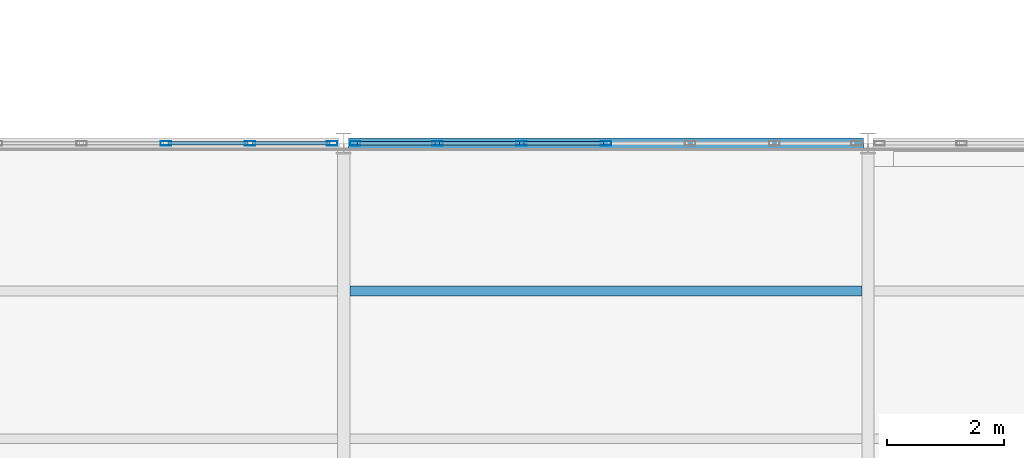
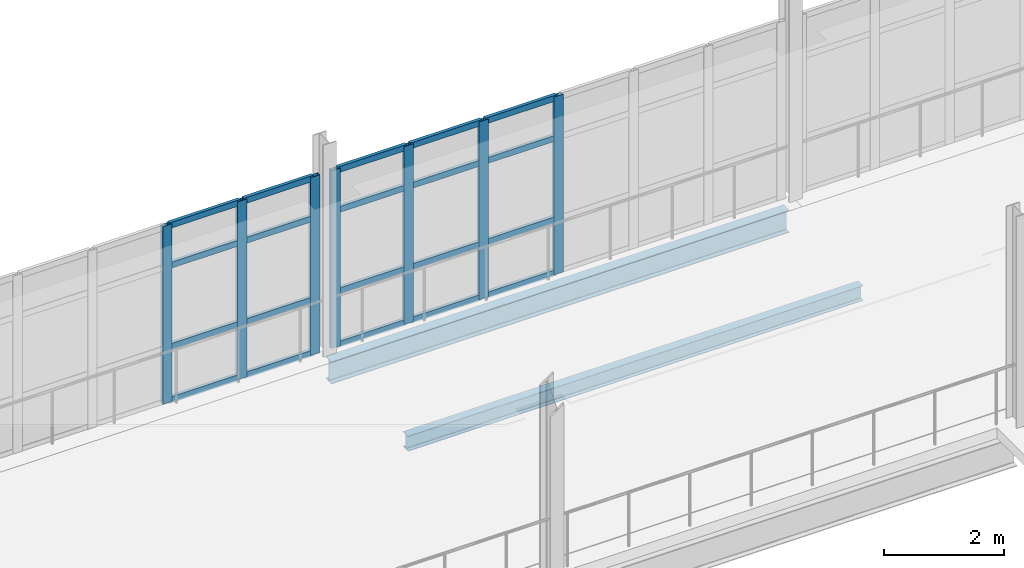
# One storey, part 46 of 174: 27 members, 2 beams, 2 elements without a shape of their own.
"""IFC4 building model written with IfcOpenShell, lengths in metres."""

import ifcopenshell
import ifcopenshell.guid

model = None  # the IFC model being written
_history = None  # IfcOwnerHistory: only IFC2X3 demands one
_inside = {}  # id of a spatial element -> (the spatial element, [elements in it])
_under = {}  # id of a project, library or spatial element -> (it, [spatial elements below it])
_declared = {}  # id of a project -> (the project, [libraries it declares])
_typed = {}  # id of a type object -> (the type object, [elements of that type])
_made_of = {}  # id of a material, layer set ... -> (it, [elements and type objects made of it])


def new_model(schema):
    """Start an empty IFC model of exactly this schema.

    Asked for "IFC4X3", IfcOpenShell would pick the latest addendum, in which some entities
    have other attributes; the version numbers below select the first issue.
    IFC2X3 requires an IfcOwnerHistory on every rooted entity: one is made here for all.
    """
    global model, _history
    if schema == "IFC4X3":
        model = ifcopenshell.file(schema_version=(4, 3, 0, 0))
    else:
        model = ifcopenshell.file(schema=schema)
    _inside.clear()
    _under.clear()
    _declared.clear()
    _typed.clear()
    _made_of.clear()
    _history = None
    if model.schema == "IFC2X3":
        org = make("IfcOrganization", Name="unknown")
        user = make(
            "IfcPersonAndOrganization",
            ThePerson=make("IfcPerson", FamilyName="unknown"),
            TheOrganization=org,
        )
        app = make(
            "IfcApplication",
            ApplicationDeveloper=org,
            Version="unknown",
            ApplicationFullName="unknown",
            ApplicationIdentifier="unknown",
        )
        _history = make(
            "IfcOwnerHistory",
            OwningUser=user,
            OwningApplication=app,
            ChangeAction="ADDED",
            CreationDate=0,
        )
    return model


def make(cls, **values):
    """One entity of the class cls with the attributes given. An attribute that is None is left unset."""
    return model.create_entity(
        cls, **{name: value for name, value in values.items() if value is not None}
    )


def rooted(cls, **values):
    """An entity with a GlobalId (a new one), such as an element, a storey or a relation."""
    return make(cls, GlobalId=ifcopenshell.guid.new(), OwnerHistory=_history, **values)


def si_unit(unit_type, name, prefix=None):
    """IfcSIUnit, for example si_unit("LENGTHUNIT", "METRE", prefix="MILLI")."""
    return make("IfcSIUnit", UnitType=unit_type, Prefix=prefix, Name=name)


def assignment(units):
    """IfcUnitAssignment: the units of a project."""
    return None if units is None else make("IfcUnitAssignment", Units=units)


def point(xyz):
    """IfcCartesianPoint."""
    return None if xyz is None else make("IfcCartesianPoint", Coordinates=xyz)


def direction(xyz):
    """IfcDirection."""
    return None if xyz is None else make("IfcDirection", DirectionRatios=xyz)


def frame(location, z_axis=None, x_axis=None):
    """IfcAxis2Placement3D, a coordinate frame: its origin and axes. An axis left out is left unset."""
    return make(
        "IfcAxis2Placement3D",
        Location=point(location),
        Axis=direction(z_axis),
        RefDirection=direction(x_axis),
    )


def frame_2d(location, x_axis=None):
    """IfcAxis2Placement2D, a coordinate frame in the plane: its origin and x axis."""
    return make(
        "IfcAxis2Placement2D", Location=point(location), RefDirection=direction(x_axis)
    )


def origin():
    """The frame at (0, 0, 0) with its axes left unset."""
    return frame((0.0, 0.0, 0.0))


def origin_2d():
    """The frame at (0, 0) in the plane with its x axis left unset."""
    return frame_2d((0.0, 0.0))


def place(relative_to, where):
    """IfcLocalPlacement: puts the frame where relative to a parent placement (None: the world)."""
    return make(
        "IfcLocalPlacement", PlacementRelTo=relative_to, RelativePlacement=where
    )


def context(
    kind, dimensions, precision=None, world=None, true_north=None, identifier=None
):
    """IfcGeometricRepresentationContext, for example the 3D "Model" context."""
    return make(
        "IfcGeometricRepresentationContext",
        ContextIdentifier=identifier,
        ContextType=kind,
        CoordinateSpaceDimension=dimensions,
        Precision=precision,
        WorldCoordinateSystem=world,
        TrueNorth=true_north,
    )


def subcontext(parent, identifier, kind, view, scale=None):
    """IfcGeometricRepresentationSubContext, for example "Body" below "Model"."""
    return make(
        "IfcGeometricRepresentationSubContext",
        ContextIdentifier=identifier,
        ContextType=kind,
        ParentContext=parent,
        TargetScale=scale,
        TargetView=view,
    )


def project(units=None, contexts=None):
    """IfcProject with its units and contexts."""
    return rooted(
        "IfcProject",
        Name="project",
        RepresentationContexts=contexts,
        UnitsInContext=assignment(units),
    )


def spatial(cls, under=None, at=None, **own):
    """A site, building, storey or space (cls), placed at a placement, below another one or the project."""
    s = rooted(cls, ObjectPlacement=at, **own)
    if under is not None:
        _under.setdefault(under.id(), (under, []))[1].append(s)
    return s


def profile(cls, at=None, kind="AREA", **sizes):
    """A parametric profile (cls). Its sizes go by their IFC names, for example OverallWidth=200.0."""
    return make(cls, ProfileType=kind, Position=at, **sizes)


def hollow_rectangle(**sizes):
    """IfcRectangleHollowProfileDef."""
    return profile("IfcRectangleHollowProfileDef", **sizes)


def i_section(**sizes):
    """IfcIShapeProfileDef."""
    return profile("IfcIShapeProfileDef", **sizes)


def extrude(swept, where, along, depth):
    """IfcExtrudedAreaSolid: the profile swept, set in the frame where, extruded along a direction by depth."""
    return make(
        "IfcExtrudedAreaSolid",
        SweptArea=swept,
        Position=where,
        ExtrudedDirection=direction(along),
        Depth=depth,
    )


def shape(context_of_items, identifier, shape_type, items):
    """IfcShapeRepresentation: the items that make up one representation, for example the "Body"."""
    return make(
        "IfcShapeRepresentation",
        ContextOfItems=context_of_items,
        RepresentationIdentifier=identifier,
        RepresentationType=shape_type,
        Items=items,
    )


def material(Name=None, Category=None):
    """IfcMaterial."""
    return make("IfcMaterial", Name=Name, Category=Category)


def material_profile(
    of_material, cross_section, Name=None, Category=None, Priority=None
):
    """IfcMaterialProfile: a cross section and its material."""
    return make(
        "IfcMaterialProfile",
        Name=Name,
        Material=of_material,
        Profile=cross_section,
        Priority=Priority,
        Category=Category,
    )


def profile_set(profiles, Name=None, composite=None):
    """IfcMaterialProfileSet."""
    return make(
        "IfcMaterialProfileSet",
        Name=Name,
        MaterialProfiles=profiles,
        CompositeProfile=composite,
    )


def made_of(thing, what):
    """Note that an element or type object is made of a material, layer set ...; save() writes the relation."""
    if what is not None:
        _made_of.setdefault(what.id(), (what, []))[1].append(thing)
    return thing


def type_object(cls, material=None, **own):
    """A type object (cls), such as IfcWallType, which elements share."""
    return made_of(rooted(cls, **own), material)


def element(
    cls,
    number,
    at=None,
    inside=None,
    cuts=None,
    type_object=None,
    material=None,
    context=None,
    identifier="Body",
    shape_type=None,
    held_by="IfcProductDefinitionShape",
    body=None,
    shapes=None,
    **own,
):
    """One element of the class cls, such as IfcWall. Its Tag is "e" and its number.

    at: its placement. inside: the storey or other place that contains it. cuts: it is an
    opening in that element (IfcRelVoidsElement). A single representation is given by context,
    identifier, shape_type and body (its items); several are given by shapes. held_by: the class
    of the entity that holds the representations. save() writes the other relations.
    """
    e = rooted(cls, Tag="e%d" % number, ObjectPlacement=at, **own)
    if body is not None:
        shapes = [shape(context, identifier, shape_type, body)]
    if shapes is not None:
        e.Representation = make(held_by, Representations=shapes)
    if inside is not None:
        _inside.setdefault(inside.id(), (inside, []))[1].append(e)
    if cuts is not None:
        rooted(
            "IfcRelVoidsElement", RelatingBuildingElement=cuts, RelatedOpeningElement=e
        )
    if type_object is not None:
        _typed.setdefault(type_object.id(), (type_object, []))[1].append(e)
    return made_of(e, material)


def aggregate(whole, parts):
    """IfcRelAggregates: a whole, such as a stair, and the parts it consists of."""
    return rooted("IfcRelAggregates", RelatingObject=whole, RelatedObjects=parts)


def save(model, path):
    """Write the relations noted so far, then the file.

    IfcRelAggregates (storeys below a building ...), IfcRelContainedInSpatialStructure (elements
    in a storey), IfcRelDefinesByType, IfcRelAssociatesMaterial and IfcRelDeclares: one each for
    every whole, place, type object, material and project.
    """
    for whole, parts in _under.values():
        aggregate(whole, parts)
    for where, things in _inside.values():
        rooted(
            "IfcRelContainedInSpatialStructure",
            RelatedElements=things,
            RelatingStructure=where,
        )
    for kind, things in _typed.values():
        rooted("IfcRelDefinesByType", RelatedObjects=things, RelatingType=kind)
    for what, things in _made_of.values():
        rooted("IfcRelAssociatesMaterial", RelatedObjects=things, RelatingMaterial=what)
    for by, libraries in _declared.values():
        rooted("IfcRelDeclares", RelatingContext=by, RelatedDefinitions=libraries)
    model.write(path)


model = new_model("IFC4")

# Units and contexts
model_context = context("Model", 3, precision=1e-05, world=origin(), true_north=direction((0.0, 1.0)))
body_context = subcontext(model_context, "Body", "Model", "MODEL_VIEW")
ifc_project = project(units=[si_unit("LENGTHUNIT", "METRE"), si_unit("AREAUNIT", "SQUARE_METRE"), si_unit("VOLUMEUNIT", "CUBIC_METRE"), si_unit("PLANEANGLEUNIT", "RADIAN"), si_unit("MASSUNIT", "GRAM", prefix="KILO")], contexts=[model_context])

# Site, building, storey
site_placement = place(None, origin())
site = spatial("IfcSite", under=ifc_project, at=site_placement, CompositionType="ELEMENT")
building_placement = place(site_placement, origin())
building = spatial("IfcBuilding", under=site, at=building_placement, Name="Caisbarro Railhouse Central Library", CompositionType="ELEMENT")
storey_placement = place(building_placement, frame((0.0, 0.0, 5.0400390625)))
storey = spatial("IfcBuildingStorey", under=building, at=storey_placement, Name="L01", CompositionType="ELEMENT", Elevation=5.0400390625)

# Beams
ifc_material_1 = material(Name="Steel ASTM A572 Grade 50", Category="steel")
ifc_material_profile_1 = material_profile(ifc_material_1, i_section(OverallWidth=0.1650390625, OverallDepth=0.31005859375, WebThickness=0.005859375, FlangeThickness=0.009765625, FilletRadius=0.011962890625, at=origin_2d()), Name="W310X38.7")
ifc_profile_set_1 = profile_set([ifc_material_profile_1], Name="Steel ASTM A572 Grade 50")
beam_type_1 = type_object("IfcBeamType", Name="BM-J03", PredefinedType="JOIST", material=ifc_profile_set_1)
beam_1_placement = place(storey_placement, frame((27.1044921875, 58.2666015625, -0.375), z_axis=(1.0, 0.0, 0.0), x_axis=(0.0, 1.0, 0.0)))
element("IfcBeam", 1, at=beam_1_placement, inside=storey, type_object=beam_type_1, Name="J03 beam L01 #878", PredefinedType="JOIST", context=body_context, shape_type="SweptSolid", body=[
    extrude(i_section(OverallWidth=0.1650390625, OverallDepth=0.31005859375, WebThickness=0.005859375, FlangeThickness=0.009765625, FilletRadius=0.011962890625, at=origin_2d()), origin(), (0.0, 0.0, 1.0), 8.791015625),
])
ifc_material_profile_2 = material_profile(ifc_material_1, i_section(OverallWidth=0.18994140625, OverallDepth=0.45703125, WebThickness=0.009033203125, FlangeThickness=0.014404296875, FilletRadius=0.01806640625, at=origin_2d()), Name="W460X74.0")
ifc_profile_set_2 = profile_set([ifc_material_profile_2], Name="Steel ASTM A572 Grade 50")
beam_type_2 = type_object("IfcBeamType", Name="BM-SP01", PredefinedType="SPANDREL", material=ifc_profile_set_2)
beam_2_placement = place(storey_placement, frame((27.080078125, 60.800048828125, -0.448486328125), z_axis=(1.0, 0.0, 0.0), x_axis=(0.0, 1.0, 0.0)))
element("IfcBeam", 2, at=beam_2_placement, inside=storey, type_object=beam_type_2, Name="SP01 beam L01 #820", PredefinedType="SPANDREL", context=body_context, shape_type="SweptSolid", body=[
    extrude(i_section(OverallWidth=0.18994140625, OverallDepth=0.45703125, WebThickness=0.009033203125, FlangeThickness=0.014404296875, FilletRadius=0.01806640625, at=origin_2d()), origin(), (0.0, 0.0, 1.0), 8.83984375),
])

# Curtain wall, members
ifc_material_2 = material(Name="Anodised architectural aluminium", Category="aluminium")
curtain_wall_type = type_object("IfcCurtainWallType", Name="CW-CW02", PredefinedType="NOTDEFINED", material=ifc_material_2)
curtain_wall_1_placement = place(storey_placement, origin())
curtain_wall_1 = element("IfcCurtainWall", 3, at=curtain_wall_1_placement, inside=storey, type_object=curtain_wall_type, Name="CW02 curtain wall L01 #7", PredefinedType="NOTDEFINED")
ifc_material_profile_3 = material_profile(ifc_material_2, hollow_rectangle(XDim=0.074951171875, YDim=0.179931640625, WallThickness=0.00439453125, at=origin_2d()), Name="ALU-MUL-75X180")
ifc_profile_set_3 = profile_set([ifc_material_profile_3], Name="Anodised architectural aluminium")
member_type_1 = type_object("IfcMemberType", Name="CWM-M01", PredefinedType="MULLION", material=ifc_profile_set_3)
member_1_placement = place(storey_placement, frame((23.94677734375, 60.800048828125, 0.0), z_axis=(0.0, 0.0, 1.0), x_axis=(0.0, 1.0, 0.0)))
member_1 = element("IfcMember", 4, at=member_1_placement, type_object=member_type_1, Name="CW02 mullion 5", PredefinedType="MULLION", context=body_context, shape_type="SweptSolid", body=[
    extrude(hollow_rectangle(XDim=0.074951171875, YDim=0.179931640625, WallThickness=0.00439453125, at=origin_2d()), origin(), (0.0, 0.0, 1.0), 3.6298828125),
])
member_2_placement = place(storey_placement, frame((25.393310546875, 60.800048828125, 0.0), z_axis=(0.0, 0.0, 1.0), x_axis=(0.0, 1.0, 0.0)))
member_2 = element("IfcMember", 5, at=member_2_placement, type_object=member_type_1, Name="CW02 mullion 6", PredefinedType="MULLION", context=body_context, shape_type="SweptSolid", body=[
    extrude(hollow_rectangle(XDim=0.074951171875, YDim=0.179931640625, WallThickness=0.00439453125, at=origin_2d()), origin(), (0.0, 0.0, 1.0), 3.6298828125),
])
member_3_placement = place(storey_placement, frame((26.802490234375, 60.800048828125, 0.0), z_axis=(0.0, 0.0, 1.0), x_axis=(0.0, 1.0, 0.0)))
member_3 = element("IfcMember", 6, at=member_3_placement, type_object=member_type_1, Name="CW02 mullion 7", PredefinedType="MULLION", context=body_context, shape_type="SweptSolid", body=[
    extrude(hollow_rectangle(XDim=0.074951171875, YDim=0.179931640625, WallThickness=0.00439453125, at=origin_2d()), origin(), (0.0, 0.0, 1.0), 3.6298828125),
])

curtain_wall_2_placement = place(storey_placement, origin())
curtain_wall_2 = element("IfcCurtainWall", 7, at=curtain_wall_2_placement, inside=storey, type_object=curtain_wall_type, Name="CW02 curtain wall L01 #10", PredefinedType="NOTDEFINED")
member_4_placement = place(storey_placement, frame((27.197509765625, 60.800048828125, 0.0), z_axis=(0.0, 0.0, 1.0), x_axis=(0.0, 1.0, 0.0)))
member_4 = element("IfcMember", 8, at=member_4_placement, type_object=member_type_1, Name="CW02 mullion 1", PredefinedType="MULLION", context=body_context, shape_type="SweptSolid", body=[
    extrude(hollow_rectangle(XDim=0.074951171875, YDim=0.179931640625, WallThickness=0.00439453125, at=origin_2d()), origin(), (0.0, 0.0, 1.0), 3.6298828125),
])
member_5_placement = place(storey_placement, frame((28.606689453125, 60.800048828125, 0.0), z_axis=(0.0, 0.0, 1.0), x_axis=(0.0, 1.0, 0.0)))
member_5 = element("IfcMember", 9, at=member_5_placement, type_object=member_type_1, Name="CW02 mullion 2", PredefinedType="MULLION", context=body_context, shape_type="SweptSolid", body=[
    extrude(hollow_rectangle(XDim=0.074951171875, YDim=0.179931640625, WallThickness=0.00439453125, at=origin_2d()), origin(), (0.0, 0.0, 1.0), 3.6298828125),
])
member_6_placement = place(storey_placement, frame((30.05322265625, 60.800048828125, 0.0), z_axis=(0.0, 0.0, 1.0), x_axis=(0.0, 1.0, 0.0)))
member_6 = element("IfcMember", 10, at=member_6_placement, type_object=member_type_1, Name="CW02 mullion 3", PredefinedType="MULLION", context=body_context, shape_type="SweptSolid", body=[
    extrude(hollow_rectangle(XDim=0.074951171875, YDim=0.179931640625, WallThickness=0.00439453125, at=origin_2d()), origin(), (0.0, 0.0, 1.0), 3.6298828125),
])
member_7_placement = place(storey_placement, frame((31.5, 60.800048828125, 0.0), z_axis=(0.0, 0.0, 1.0), x_axis=(0.0, 1.0, 0.0)))
member_7 = element("IfcMember", 11, at=member_7_placement, type_object=member_type_1, Name="CW02 mullion 4", PredefinedType="MULLION", context=body_context, shape_type="SweptSolid", body=[
    extrude(hollow_rectangle(XDim=0.074951171875, YDim=0.179931640625, WallThickness=0.00439453125, at=origin_2d()), origin(), (0.0, 0.0, 1.0), 3.6298828125),
])

# Member
ifc_material_profile_4 = material_profile(ifc_material_2, hollow_rectangle(XDim=0.06494140625, YDim=0.1201171875, WallThickness=0.00341796875, at=origin_2d()), Name="ALU-TRN-65X120")
ifc_profile_set_4 = profile_set([ifc_material_profile_4], Name="Anodised architectural aluminium")
member_type_2 = type_object("IfcMemberType", Name="CWT-T02", PredefinedType="USERDEFINED", material=ifc_profile_set_4)
member_8_placement = place(storey_placement, frame((23.984130859375, 60.800048828125, 0.032470703125), z_axis=(1.0, 0.0, 0.0), x_axis=(0.0, 1.0, 0.0)))
member_8 = element("IfcMember", 12, at=member_8_placement, type_object=member_type_2, Name="CW02 transom 5.1", ObjectType="TRANSOM", PredefinedType="USERDEFINED", context=body_context, shape_type="SweptSolid", body=[
    extrude(hollow_rectangle(XDim=0.06494140625, YDim=0.1201171875, WallThickness=0.00341796875, at=origin_2d()), origin(), (0.0, 0.0, 1.0), 1.37158203125),
])

member_9_placement = place(storey_placement, frame((23.984130859375, 60.800048828125, 1.119873046875), z_axis=(1.0, 0.0, 0.0), x_axis=(0.0, 1.0, 0.0)))
member_9 = element("IfcMember", 13, at=member_9_placement, type_object=member_type_2, Name="CW02 transom 5.2", ObjectType="TRANSOM", PredefinedType="USERDEFINED", context=body_context, shape_type="SweptSolid", body=[
    extrude(hollow_rectangle(XDim=0.06494140625, YDim=0.1201171875, WallThickness=0.00341796875, at=origin_2d()), origin(), (0.0, 0.0, 1.0), 1.37158203125),
])

member_10_placement = place(storey_placement, frame((23.984130859375, 60.800048828125, 2.780029296875), z_axis=(1.0, 0.0, 0.0), x_axis=(0.0, 1.0, 0.0)))
member_10 = element("IfcMember", 14, at=member_10_placement, type_object=member_type_2, Name="CW02 transom 5.3", ObjectType="TRANSOM", PredefinedType="USERDEFINED", context=body_context, shape_type="SweptSolid", body=[
    extrude(hollow_rectangle(XDim=0.06494140625, YDim=0.1201171875, WallThickness=0.00341796875, at=origin_2d()), origin(), (0.0, 0.0, 1.0), 1.37158203125),
])

member_11_placement = place(storey_placement, frame((23.984130859375, 60.800048828125, 3.597412109375), z_axis=(1.0, 0.0, 0.0), x_axis=(0.0, 1.0, 0.0)))
member_11 = element("IfcMember", 15, at=member_11_placement, type_object=member_type_2, Name="CW02 transom 5.4", ObjectType="TRANSOM", PredefinedType="USERDEFINED", context=body_context, shape_type="SweptSolid", body=[
    extrude(hollow_rectangle(XDim=0.06494140625, YDim=0.1201171875, WallThickness=0.00341796875, at=origin_2d()), origin(), (0.0, 0.0, 1.0), 1.37158203125),
])

member_12_placement = place(storey_placement, frame((25.430908203125, 60.800048828125, 0.032470703125), z_axis=(1.0, 0.0, 0.0), x_axis=(0.0, 1.0, 0.0)))
member_12 = element("IfcMember", 16, at=member_12_placement, type_object=member_type_2, Name="CW02 transom 6.1", ObjectType="TRANSOM", PredefinedType="USERDEFINED", context=body_context, shape_type="SweptSolid", body=[
    extrude(hollow_rectangle(XDim=0.06494140625, YDim=0.1201171875, WallThickness=0.00341796875, at=origin_2d()), origin(), (0.0, 0.0, 1.0), 1.333984375),
])

member_13_placement = place(storey_placement, frame((25.430908203125, 60.800048828125, 1.119873046875), z_axis=(1.0, 0.0, 0.0), x_axis=(0.0, 1.0, 0.0)))
member_13 = element("IfcMember", 17, at=member_13_placement, type_object=member_type_2, Name="CW02 transom 6.2", ObjectType="TRANSOM", PredefinedType="USERDEFINED", context=body_context, shape_type="SweptSolid", body=[
    extrude(hollow_rectangle(XDim=0.06494140625, YDim=0.1201171875, WallThickness=0.00341796875, at=origin_2d()), origin(), (0.0, 0.0, 1.0), 1.333984375),
])

member_14_placement = place(storey_placement, frame((25.430908203125, 60.800048828125, 2.780029296875), z_axis=(1.0, 0.0, 0.0), x_axis=(0.0, 1.0, 0.0)))
member_14 = element("IfcMember", 18, at=member_14_placement, type_object=member_type_2, Name="CW02 transom 6.3", ObjectType="TRANSOM", PredefinedType="USERDEFINED", context=body_context, shape_type="SweptSolid", body=[
    extrude(hollow_rectangle(XDim=0.06494140625, YDim=0.1201171875, WallThickness=0.00341796875, at=origin_2d()), origin(), (0.0, 0.0, 1.0), 1.333984375),
])

member_15_placement = place(storey_placement, frame((25.430908203125, 60.800048828125, 3.597412109375), z_axis=(1.0, 0.0, 0.0), x_axis=(0.0, 1.0, 0.0)))
member_15 = element("IfcMember", 19, at=member_15_placement, type_object=member_type_2, Name="CW02 transom 6.4", ObjectType="TRANSOM", PredefinedType="USERDEFINED", context=body_context, shape_type="SweptSolid", body=[
    extrude(hollow_rectangle(XDim=0.06494140625, YDim=0.1201171875, WallThickness=0.00341796875, at=origin_2d()), origin(), (0.0, 0.0, 1.0), 1.333984375),
])

aggregate(curtain_wall_1, [member_1, member_2, member_3, member_8, member_9, member_10, member_11, member_12, member_13, member_14, member_15])

member_16_placement = place(storey_placement, frame((27.235107421875, 60.800048828125, 0.032470703125), z_axis=(1.0, 0.0, 0.0), x_axis=(0.0, 1.0, 0.0)))
member_16 = element("IfcMember", 20, at=member_16_placement, type_object=member_type_2, Name="CW02 transom 1.1", ObjectType="TRANSOM", PredefinedType="USERDEFINED", context=body_context, shape_type="SweptSolid", body=[
    extrude(hollow_rectangle(XDim=0.06494140625, YDim=0.1201171875, WallThickness=0.00341796875, at=origin_2d()), origin(), (0.0, 0.0, 1.0), 1.333984375),
])

member_17_placement = place(storey_placement, frame((27.235107421875, 60.800048828125, 1.119873046875), z_axis=(1.0, 0.0, 0.0), x_axis=(0.0, 1.0, 0.0)))
member_17 = element("IfcMember", 21, at=member_17_placement, type_object=member_type_2, Name="CW02 transom 1.2", ObjectType="TRANSOM", PredefinedType="USERDEFINED", context=body_context, shape_type="SweptSolid", body=[
    extrude(hollow_rectangle(XDim=0.06494140625, YDim=0.1201171875, WallThickness=0.00341796875, at=origin_2d()), origin(), (0.0, 0.0, 1.0), 1.333984375),
])

member_18_placement = place(storey_placement, frame((27.235107421875, 60.800048828125, 2.780029296875), z_axis=(1.0, 0.0, 0.0), x_axis=(0.0, 1.0, 0.0)))
member_18 = element("IfcMember", 22, at=member_18_placement, type_object=member_type_2, Name="CW02 transom 1.3", ObjectType="TRANSOM", PredefinedType="USERDEFINED", context=body_context, shape_type="SweptSolid", body=[
    extrude(hollow_rectangle(XDim=0.06494140625, YDim=0.1201171875, WallThickness=0.00341796875, at=origin_2d()), origin(), (0.0, 0.0, 1.0), 1.333984375),
])

member_19_placement = place(storey_placement, frame((27.235107421875, 60.800048828125, 3.597412109375), z_axis=(1.0, 0.0, 0.0), x_axis=(0.0, 1.0, 0.0)))
member_19 = element("IfcMember", 23, at=member_19_placement, type_object=member_type_2, Name="CW02 transom 1.4", ObjectType="TRANSOM", PredefinedType="USERDEFINED", context=body_context, shape_type="SweptSolid", body=[
    extrude(hollow_rectangle(XDim=0.06494140625, YDim=0.1201171875, WallThickness=0.00341796875, at=origin_2d()), origin(), (0.0, 0.0, 1.0), 1.333984375),
])

member_20_placement = place(storey_placement, frame((28.644287109375, 60.800048828125, 0.032470703125), z_axis=(1.0, 0.0, 0.0), x_axis=(0.0, 1.0, 0.0)))
member_20 = element("IfcMember", 24, at=member_20_placement, type_object=member_type_2, Name="CW02 transom 2.1", ObjectType="TRANSOM", PredefinedType="USERDEFINED", context=body_context, shape_type="SweptSolid", body=[
    extrude(hollow_rectangle(XDim=0.06494140625, YDim=0.1201171875, WallThickness=0.00341796875, at=origin_2d()), origin(), (0.0, 0.0, 1.0), 1.37158203125),
])

member_21_placement = place(storey_placement, frame((28.644287109375, 60.800048828125, 1.119873046875), z_axis=(1.0, 0.0, 0.0), x_axis=(0.0, 1.0, 0.0)))
member_21 = element("IfcMember", 25, at=member_21_placement, type_object=member_type_2, Name="CW02 transom 2.2", ObjectType="TRANSOM", PredefinedType="USERDEFINED", context=body_context, shape_type="SweptSolid", body=[
    extrude(hollow_rectangle(XDim=0.06494140625, YDim=0.1201171875, WallThickness=0.00341796875, at=origin_2d()), origin(), (0.0, 0.0, 1.0), 1.37158203125),
])

member_22_placement = place(storey_placement, frame((28.644287109375, 60.800048828125, 2.780029296875), z_axis=(1.0, 0.0, 0.0), x_axis=(0.0, 1.0, 0.0)))
member_22 = element("IfcMember", 26, at=member_22_placement, type_object=member_type_2, Name="CW02 transom 2.3", ObjectType="TRANSOM", PredefinedType="USERDEFINED", context=body_context, shape_type="SweptSolid", body=[
    extrude(hollow_rectangle(XDim=0.06494140625, YDim=0.1201171875, WallThickness=0.00341796875, at=origin_2d()), origin(), (0.0, 0.0, 1.0), 1.37158203125),
])

member_23_placement = place(storey_placement, frame((28.644287109375, 60.800048828125, 3.597412109375), z_axis=(1.0, 0.0, 0.0), x_axis=(0.0, 1.0, 0.0)))
member_23 = element("IfcMember", 27, at=member_23_placement, type_object=member_type_2, Name="CW02 transom 2.4", ObjectType="TRANSOM", PredefinedType="USERDEFINED", context=body_context, shape_type="SweptSolid", body=[
    extrude(hollow_rectangle(XDim=0.06494140625, YDim=0.1201171875, WallThickness=0.00341796875, at=origin_2d()), origin(), (0.0, 0.0, 1.0), 1.37158203125),
])

member_24_placement = place(storey_placement, frame((30.0908203125, 60.800048828125, 0.032470703125), z_axis=(1.0, 0.0, 0.0), x_axis=(0.0, 1.0, 0.0)))
member_24 = element("IfcMember", 28, at=member_24_placement, type_object=member_type_2, Name="CW02 transom 3.1", ObjectType="TRANSOM", PredefinedType="USERDEFINED", context=body_context, shape_type="SweptSolid", body=[
    extrude(hollow_rectangle(XDim=0.06494140625, YDim=0.1201171875, WallThickness=0.00341796875, at=origin_2d()), origin(), (0.0, 0.0, 1.0), 1.37158203125),
])

member_25_placement = place(storey_placement, frame((30.0908203125, 60.800048828125, 1.119873046875), z_axis=(1.0, 0.0, 0.0), x_axis=(0.0, 1.0, 0.0)))
member_25 = element("IfcMember", 29, at=member_25_placement, type_object=member_type_2, Name="CW02 transom 3.2", ObjectType="TRANSOM", PredefinedType="USERDEFINED", context=body_context, shape_type="SweptSolid", body=[
    extrude(hollow_rectangle(XDim=0.06494140625, YDim=0.1201171875, WallThickness=0.00341796875, at=origin_2d()), origin(), (0.0, 0.0, 1.0), 1.37158203125),
])

member_26_placement = place(storey_placement, frame((30.0908203125, 60.800048828125, 2.780029296875), z_axis=(1.0, 0.0, 0.0), x_axis=(0.0, 1.0, 0.0)))
member_26 = element("IfcMember", 30, at=member_26_placement, type_object=member_type_2, Name="CW02 transom 3.3", ObjectType="TRANSOM", PredefinedType="USERDEFINED", context=body_context, shape_type="SweptSolid", body=[
    extrude(hollow_rectangle(XDim=0.06494140625, YDim=0.1201171875, WallThickness=0.00341796875, at=origin_2d()), origin(), (0.0, 0.0, 1.0), 1.37158203125),
])

member_27_placement = place(storey_placement, frame((30.0908203125, 60.800048828125, 3.597412109375), z_axis=(1.0, 0.0, 0.0), x_axis=(0.0, 1.0, 0.0)))
member_27 = element("IfcMember", 31, at=member_27_placement, type_object=member_type_2, Name="CW02 transom 3.4", ObjectType="TRANSOM", PredefinedType="USERDEFINED", context=body_context, shape_type="SweptSolid", body=[
    extrude(hollow_rectangle(XDim=0.06494140625, YDim=0.1201171875, WallThickness=0.00341796875, at=origin_2d()), origin(), (0.0, 0.0, 1.0), 1.37158203125),
])

aggregate(curtain_wall_2, [member_4, member_5, member_6, member_7, member_16, member_17, member_18, member_19, member_20, member_21, member_22, member_23, member_24, member_25, member_26, member_27])

save(model, "model.ifc")
